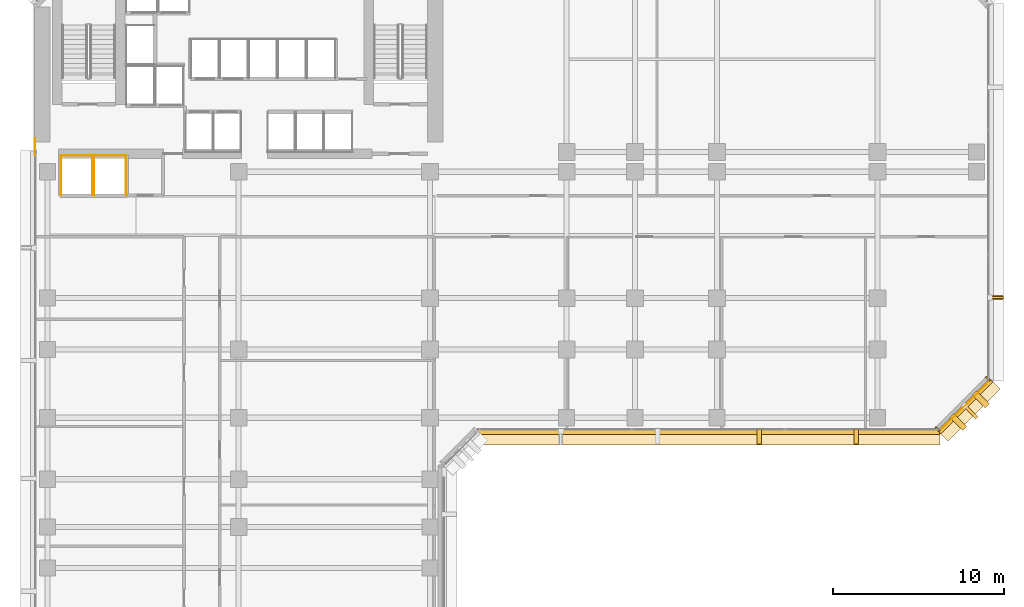
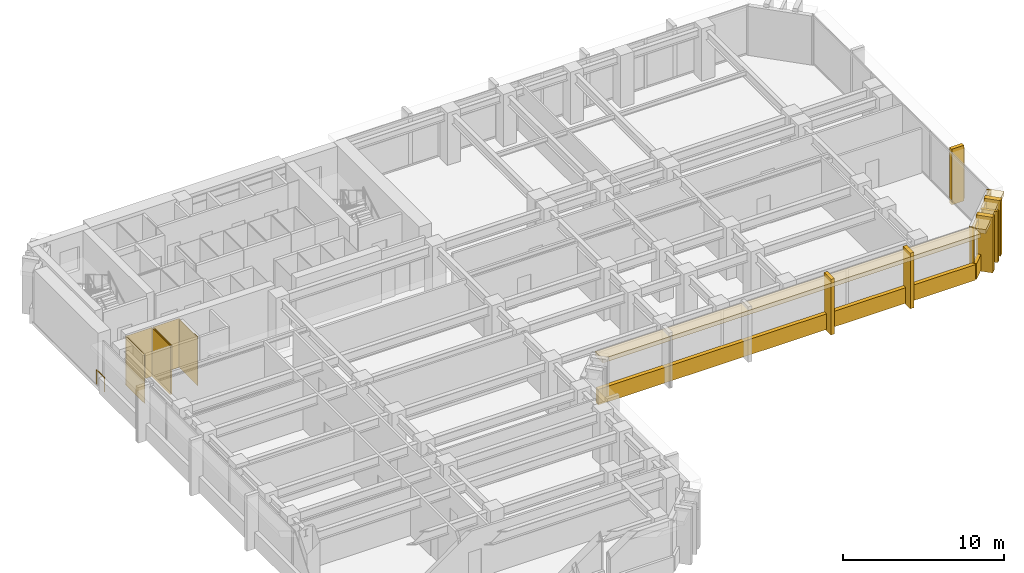
# One storey, part 11 of 14: 18 coverings, 2 shading devices, 1 railing.
"""IFC4 building model written with IfcOpenShell, lengths in metres."""

from ifc_helpers import new_model, si_unit, direction, frame, origin, origin_2d, place, context, subcontext, project, spatial, polyline, rectangle, circle, outline, extrude, material, layer, layer_set, material_profile, profile_set, type_object, element, save


model = new_model("IFC4")

# Units and contexts
model_context = context("Model", 3, precision=1e-05, world=origin(), true_north=direction((0.0, 1.0)))
body_context = subcontext(model_context, "Body", "Model", "MODEL_VIEW")
ifc_project = project(units=[si_unit("LENGTHUNIT", "METRE"), si_unit("AREAUNIT", "SQUARE_METRE"), si_unit("VOLUMEUNIT", "CUBIC_METRE"), si_unit("PLANEANGLEUNIT", "RADIAN"), si_unit("MASSUNIT", "GRAM", prefix="KILO")], contexts=[model_context])

# Site, building, storey
site_placement = place(None, origin())
site = spatial("IfcSite", under=ifc_project, at=site_placement, CompositionType="ELEMENT")
building_placement = place(site_placement, origin())
building = spatial("IfcBuilding", under=site, at=building_placement, Name="Kefirva Bronze Tower", CompositionType="ELEMENT")
storey_placement = place(building_placement, frame((0.0, 0.0, 50.159912109375)))
storey = spatial("IfcBuildingStorey", under=building, at=storey_placement, Name="L11", CompositionType="ELEMENT", Elevation=50.159912109375)

# Coverings
ifc_material_1 = material(Name="Bronze anodised aluminium", Category="aluminium")
ifc_layer_1 = layer(ifc_material_1, 0.02001953125, Name="Bronze anodised aluminium")
ifc_layer_set_1 = layer_set([ifc_layer_1], Name="Bronze anodised aluminium")
covering_type_1 = type_object("IfcCoveringType", Name="Anodised Bronze Spandrel Cladding 20mm", PredefinedType="CLADDING", material=ifc_layer_set_1)
covering_1_placement = place(storey_placement, frame((39.5, 17.9599609375, -0.15966796875), z_axis=(0.0, 0.0, 1.0), x_axis=(1.0, 0.0, 0.0)))
element("IfcCovering", 1, at=covering_1_placement, inside=storey, type_object=covering_type_1, Name="L11 Streamline Horizontal Spandrel Band 8", PredefinedType="CLADDING", context=body_context, shape_type="SweptSolid", body=[
    extrude(rectangle(XDim=27.0400390625, YDim=0.280029296875, at=origin_2d()), origin(), (0.0, 0.0, 1.0), 1.179931640625),
])
covering_2_placement = place(storey_placement, frame((54.507080078125, 19.492919921875, 3.2900390625), z_axis=(0.0, 0.0, 1.0), x_axis=(0.707106781187, 0.707106781187, 0.0)))
element("IfcCovering", 2, at=covering_2_placement, inside=storey, type_object=covering_type_1, Name="L11 Bronze Spandrel Cladding 7", PredefinedType="CLADDING", context=body_context, shape_type="SweptSolid", body=[
    extrude(rectangle(XDim=3.719482421875, YDim=0.02001953125, at=origin_2d()), origin(), (0.0, 0.0, 1.0), 0.39990234375),
])
for number, where, z_axis, x_axis, name in (
    (3, (52.91162109375, 18.137939453125, 0.0), (0.0, 0.0, 1.0), (0.707106781187, 0.707106781187, 0.0), "L11 Facade Joint Closure Panel 7S"),
    (4, (55.862060546875, 21.08837890625, 0.0), (0.0, 0.0, 1.0), (0.707106781187, 0.707106781187, 0.0), "L11 Facade Joint Closure Panel 7E"),
):
    element("IfcCovering", number, at=place(storey_placement, frame(where, z_axis=z_axis, x_axis=x_axis)), inside=storey, type_object=covering_type_1, Name=name, PredefinedType="CLADDING", context=body_context, shape_type="SweptSolid", body=[
        extrude(rectangle(XDim=0.10009765625, YDim=0.320068359375, at=origin_2d()), origin(), (0.0, 0.0, 1.0), 3.7099609375),
    ])
covering_3_placement = place(storey_placement, frame((54.5283203125, 19.4716796875, -0.15966796875), z_axis=(0.0, 0.0, 1.0), x_axis=(0.707106781187, 0.707106781187, 0.0)))
element("IfcCovering", 5, at=covering_3_placement, inside=storey, type_object=covering_type_1, Name="L11 Streamline Horizontal Spandrel Band 9", PredefinedType="CLADDING", context=body_context, shape_type="SweptSolid", body=[
    extrude(rectangle(XDim=4.28271484375, YDim=0.280029296875, at=origin_2d()), origin(), (0.0, 0.0, 1.0), 1.179931640625),
])
covering_4_placement = place(storey_placement, origin())
element("IfcCovering", 6, at=covering_4_placement, inside=storey, type_object=covering_type_1, Name="L11 Lift OB1 Hoistway Liner N", PredefinedType="CLADDING", context=body_context, shape_type="SweptSolid", body=[
    extrude(outline(polyline([(1.580078125, 34.139892578125), (3.469970703125, 34.139892578125), (3.469970703125, 34.159912109375), (1.580078125, 34.159912109375), (1.580078125, 34.139892578125)])), origin(), (0.0, 0.0, 1.0), 3.710205078125),
])
covering_5_placement = place(storey_placement, origin())
element("IfcCovering", 7, at=covering_5_placement, inside=storey, type_object=covering_type_1, Name="L11 Lift OB1 Hoistway Liner W", PredefinedType="CLADDING", context=body_context, shape_type="SweptSolid", body=[
    extrude(outline(polyline([(1.590087890625, 31.830078125), (1.610107421875, 31.830078125), (1.610107421875, 34.169921875), (1.590087890625, 34.169921875), (1.590087890625, 31.830078125)])), origin(), (0.0, 0.0, 1.0), 3.710205078125),
])
covering_6_placement = place(storey_placement, origin())
element("IfcCovering", 8, at=covering_6_placement, inside=storey, type_object=covering_type_1, Name="L11 Lift OB1 Hoistway Liner E", PredefinedType="CLADDING", context=body_context, shape_type="SweptSolid", body=[
    extrude(outline(polyline([(3.43994140625, 31.830078125), (3.4599609375, 31.830078125), (3.4599609375, 34.169921875), (3.43994140625, 34.169921875), (3.43994140625, 31.830078125)])), origin(), (0.0, 0.0, 1.0), 3.710205078125),
])
covering_7_placement = place(storey_placement, origin())
element("IfcCovering", 9, at=covering_7_placement, inside=storey, type_object=covering_type_1, Name="L11 Lift OB2 Hoistway Liner N", PredefinedType="CLADDING", context=body_context, shape_type="SweptSolid", body=[
    extrude(outline(polyline([(3.530029296875, 34.139892578125), (5.419921875, 34.139892578125), (5.419921875, 34.159912109375), (3.530029296875, 34.159912109375), (3.530029296875, 34.139892578125)])), origin(), (0.0, 0.0, 1.0), 3.710205078125),
])
covering_8_placement = place(storey_placement, origin())
element("IfcCovering", 10, at=covering_8_placement, inside=storey, type_object=covering_type_1, Name="L11 Lift OB2 Hoistway Liner W", PredefinedType="CLADDING", context=body_context, shape_type="SweptSolid", body=[
    extrude(outline(polyline([(3.5400390625, 31.830078125), (3.56005859375, 31.830078125), (3.56005859375, 34.169921875), (3.5400390625, 34.169921875), (3.5400390625, 31.830078125)])), origin(), (0.0, 0.0, 1.0), 3.710205078125),
])
covering_9_placement = place(storey_placement, origin())
element("IfcCovering", 11, at=covering_9_placement, inside=storey, type_object=covering_type_1, Name="L11 Lift OB2 Hoistway Liner E", PredefinedType="CLADDING", context=body_context, shape_type="SweptSolid", body=[
    extrude(outline(polyline([(5.389892578125, 31.830078125), (5.409912109375, 31.830078125), (5.409912109375, 34.169921875), (5.389892578125, 34.169921875), (5.389892578125, 31.830078125)])), origin(), (0.0, 0.0, 1.0), 3.710205078125),
])

# Shading device
ifc_material_profile_1 = material_profile(ifc_material_1, rectangle(XDim=0.179931640625, YDim=1.080078125, at=origin_2d()), Name="BRONZE BUTTRESS FIN 180x1080")
ifc_profile_set_1 = profile_set([ifc_material_profile_1], Name="Bronze anodised aluminium")
shading_device_type_1 = type_object("IfcShadingDeviceType", Name="Chamfered Corner Buttress Bronze Fin 1080mm", PredefinedType="USERDEFINED", material=ifc_profile_set_1)
shading_device_1_placement = place(storey_placement, frame((54.8251953125, 19.1748046875, -0.139892578125), z_axis=(0.0, 0.0, 1.0), x_axis=(0.707106781187, 0.707106781187, 0.0)))
element("IfcShadingDevice", 12, at=shading_device_1_placement, inside=storey, type_object=shading_device_type_1, Name="L11 Chamfered Corner Buttress Fin 14", ObjectType="VERTICAL FIN", PredefinedType="USERDEFINED", context=body_context, shape_type="SweptSolid", body=[
    extrude(rectangle(XDim=0.179931640625, YDim=1.080078125, at=origin_2d()), origin(), (0.0, 0.0, 1.0), 3.85009765625),
])

# Railing
ifc_material_2 = material(Name="Stainless steel 316", Category="steel")
railing_type = type_object("IfcRailingType", Name="Interior Stair Guardrail 1100mm", PredefinedType="GUARDRAIL", material=ifc_material_2)
railing_placement = place(storey_placement, frame((0.080078125, 34.199951171875, 0.0)))
element("IfcRailing", 13, at=railing_placement, inside=storey, type_object=railing_type, Name="L11 West Core Junction Guardrail", PredefinedType="GUARDRAIL", context=body_context, shape_type="SweptSolid", body=[
    extrude(circle(Radius=0.02392578125, at=origin_2d()), frame((0.0, 0.0, 1.076171875), z_axis=(0.0, 1.0, 0.0), x_axis=(-1.0, 0.0, 0.0)), (0.0, 0.0, 1.0), 0.949951171875),
    extrude(circle(Radius=0.02099609375, at=origin_2d()), origin(), (0.0, 0.0, 1.0), 1.052001953125),
    extrude(circle(Radius=0.02099609375, at=origin_2d()), frame((0.0, 0.949951171875, 0.0)), (0.0, 0.0, 1.0), 1.052001953125),
])

# Coverings
ifc_layer_2 = layer(ifc_material_1, 0.179931640625, Name="Bronze anodised aluminium")
ifc_layer_set_2 = layer_set([ifc_layer_2], Name="Bronze anodised aluminium")
covering_type_2 = type_object("IfcCoveringType", Name="Streamline Bronze Sunshade Eyebrow Cladding 180mm", PredefinedType="CLADDING", material=ifc_layer_set_2)
covering_10_placement = place(storey_placement, frame((39.5, 17.68994140625, 3.39013671875), z_axis=(0.0, 0.0, 1.0), x_axis=(1.0, 0.0, 0.0)))
element("IfcCovering", 14, at=covering_10_placement, inside=storey, type_object=covering_type_2, Name="L11 Streamline Bronze Sunshade Eyebrow 8", PredefinedType="CLADDING", context=body_context, shape_type="SweptSolid", body=[
    extrude(rectangle(XDim=27.080078125, YDim=0.93994140625, at=origin_2d()), origin(), (0.0, 0.0, 1.0), 0.320068359375),
])
covering_11_placement = place(storey_placement, frame((54.71923828125, 19.28076171875, 3.39013671875), z_axis=(0.0, 0.0, 1.0), x_axis=(0.707106781187, 0.707106781187, 0.0)))
element("IfcCovering", 15, at=covering_11_placement, inside=storey, type_object=covering_type_2, Name="L11 Streamline Bronze Sunshade Eyebrow 9", PredefinedType="CLADDING", context=body_context, shape_type="SweptSolid", body=[
    extrude(rectangle(XDim=4.322509765625, YDim=0.93994140625, at=origin_2d()), origin(), (0.0, 0.0, 1.0), 0.320068359375),
])
ifc_layer_3 = layer(ifc_material_1, 0.260009765625, Name="Bronze anodised aluminium")
ifc_layer_set_3 = layer_set([ifc_layer_3], Name="Bronze anodised aluminium")
covering_type_3 = type_object("IfcCoveringType", Name="Unbroken Bronze Buttress Fin Cladding 260mm", PredefinedType="CLADDING", material=ifc_layer_set_3)
for number, where, z_axis, x_axis, name in (
    (16, (42.469970703125, 17.699951171875, -0.25), (0.0, 0.0, 1.0), (1.0, 0.0, 0.0), "L11 Unbroken Vertical Bronze Rib Fin 11"),
    (17, (48.139892578125, 17.699951171875, -0.25), (0.0, 0.0, 1.0), (1.0, 0.0, 0.0), "L11 Unbroken Vertical Bronze Rib Fin 12"),
):
    element("IfcCovering", number, at=place(storey_placement, frame(where, z_axis=z_axis, x_axis=x_axis)), inside=storey, type_object=covering_type_3, Name=name, PredefinedType="CLADDING", context=body_context, shape_type="SweptSolid", body=[
        extrude(rectangle(XDim=0.260009765625, YDim=0.8798828125, at=origin_2d()), origin(), (0.0, 0.0, 1.0), 4.2099609375),
    ])
for number, where, z_axis, x_axis, name in (
    (18, (54.122802734375, 18.55712890625, -0.25), (0.0, 0.0, 1.0), (0.707106781187, 0.707106781187, 0.0), "L11 Chamfered Corner Buttress Fin Cladding 13"),
    (19, (55.44287109375, 19.877197265625, -0.25), (0.0, 0.0, 1.0), (0.707106781187, 0.707106781187, 0.0), "L11 Chamfered Corner Buttress Fin Cladding 14"),
):
    element("IfcCovering", number, at=place(storey_placement, frame(where, z_axis=z_axis, x_axis=x_axis)), inside=storey, type_object=covering_type_3, Name=name, PredefinedType="CLADDING", context=body_context, shape_type="SweptSolid", body=[
        extrude(rectangle(XDim=0.340087890625, YDim=1.080078125, at=origin_2d()), origin(), (0.0, 0.0, 1.0), 4.2099609375),
    ])
covering_12_placement = place(storey_placement, frame((56.300048828125, 25.840087890625, -0.25), z_axis=(0.0, 0.0, 1.0), x_axis=(0.0, 1.0, 0.0)))
element("IfcCovering", 20, at=covering_12_placement, inside=storey, type_object=covering_type_3, Name="L11 Unbroken Vertical Bronze Rib Fin 15", PredefinedType="CLADDING", context=body_context, shape_type="SweptSolid", body=[
    extrude(rectangle(XDim=0.260009765625, YDim=0.8798828125, at=origin_2d()), origin(), (0.0, 0.0, 1.0), 4.2099609375),
])

# Shading device
ifc_material_profile_2 = material_profile(ifc_material_1, rectangle(XDim=0.139892578125, YDim=0.8798828125, at=origin_2d()), Name="BRONZE FIN 140x880")
ifc_profile_set_2 = profile_set([ifc_material_profile_2], Name="Bronze anodised aluminium")
shading_device_type_2 = type_object("IfcShadingDeviceType", Name="Unbroken Vertical Bronze Facade Fin 880mm", PredefinedType="USERDEFINED", material=ifc_profile_set_2)
shading_device_2_placement = place(storey_placement, frame((56.360107421875, 25.840087890625, -0.139892578125), z_axis=(0.0, 0.0, 1.0), x_axis=(0.0, 1.0, 0.0)))
element("IfcShadingDevice", 21, at=shading_device_2_placement, inside=storey, type_object=shading_device_type_2, Name="L11 Vertical Bronze Rib Fin 15", ObjectType="VERTICAL FIN", PredefinedType="USERDEFINED", context=body_context, shape_type="SweptSolid", body=[
    extrude(rectangle(XDim=0.139892578125, YDim=0.8798828125, at=origin_2d()), origin(), (0.0, 0.0, 1.0), 3.85009765625),
])

save(model, "model.ifc")
